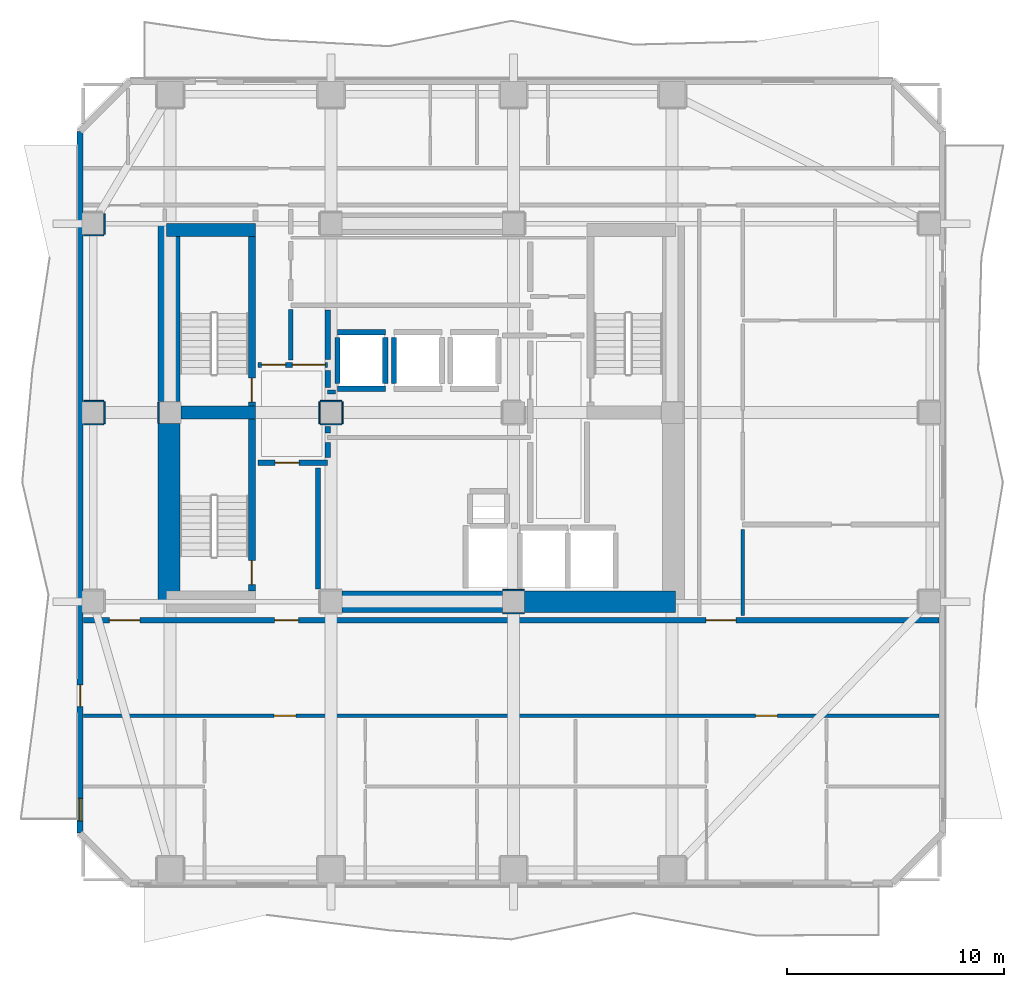
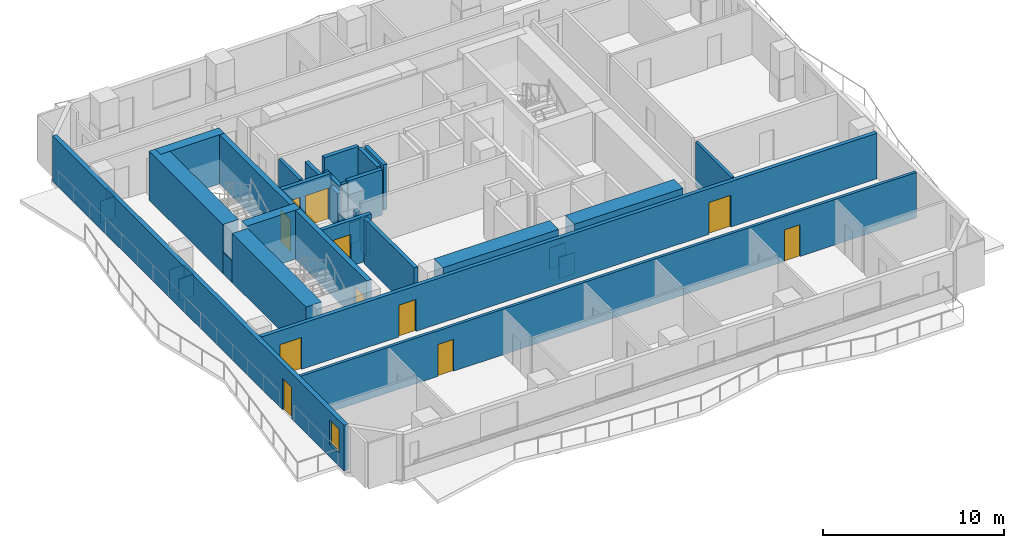
# One storey, part 3 of 9: 38 walls, 11 doors, 1 window, 12 openings.
"""IFC4 building model written with IfcOpenShell, lengths in metres."""

import ifcopenshell
import ifcopenshell.guid

model = None  # the IFC model being written
_history = None  # IfcOwnerHistory: only IFC2X3 demands one
_inside = {}  # id of a spatial element -> (the spatial element, [elements in it])
_under = {}  # id of a project, library or spatial element -> (it, [spatial elements below it])
_declared = {}  # id of a project -> (the project, [libraries it declares])
_typed = {}  # id of a type object -> (the type object, [elements of that type])
_made_of = {}  # id of a material, layer set ... -> (it, [elements and type objects made of it])


def new_model(schema):
    """Start an empty IFC model of exactly this schema.

    Asked for "IFC4X3", IfcOpenShell would pick the latest addendum, in which some entities
    have other attributes; the version numbers below select the first issue.
    IFC2X3 requires an IfcOwnerHistory on every rooted entity: one is made here for all.
    """
    global model, _history
    if schema == "IFC4X3":
        model = ifcopenshell.file(schema_version=(4, 3, 0, 0))
    else:
        model = ifcopenshell.file(schema=schema)
    _inside.clear()
    _under.clear()
    _declared.clear()
    _typed.clear()
    _made_of.clear()
    _history = None
    if model.schema == "IFC2X3":
        org = make("IfcOrganization", Name="unknown")
        user = make(
            "IfcPersonAndOrganization",
            ThePerson=make("IfcPerson", FamilyName="unknown"),
            TheOrganization=org,
        )
        app = make(
            "IfcApplication",
            ApplicationDeveloper=org,
            Version="unknown",
            ApplicationFullName="unknown",
            ApplicationIdentifier="unknown",
        )
        _history = make(
            "IfcOwnerHistory",
            OwningUser=user,
            OwningApplication=app,
            ChangeAction="ADDED",
            CreationDate=0,
        )
    return model


def make(cls, **values):
    """One entity of the class cls with the attributes given. An attribute that is None is left unset."""
    return model.create_entity(
        cls, **{name: value for name, value in values.items() if value is not None}
    )


def rooted(cls, **values):
    """An entity with a GlobalId (a new one), such as an element, a storey or a relation."""
    return make(cls, GlobalId=ifcopenshell.guid.new(), OwnerHistory=_history, **values)


def si_unit(unit_type, name, prefix=None):
    """IfcSIUnit, for example si_unit("LENGTHUNIT", "METRE", prefix="MILLI")."""
    return make("IfcSIUnit", UnitType=unit_type, Prefix=prefix, Name=name)


def assignment(units):
    """IfcUnitAssignment: the units of a project."""
    return None if units is None else make("IfcUnitAssignment", Units=units)


def point(xyz):
    """IfcCartesianPoint."""
    return None if xyz is None else make("IfcCartesianPoint", Coordinates=xyz)


def direction(xyz):
    """IfcDirection."""
    return None if xyz is None else make("IfcDirection", DirectionRatios=xyz)


def frame(location, z_axis=None, x_axis=None):
    """IfcAxis2Placement3D, a coordinate frame: its origin and axes. An axis left out is left unset."""
    return make(
        "IfcAxis2Placement3D",
        Location=point(location),
        Axis=direction(z_axis),
        RefDirection=direction(x_axis),
    )


def frame_2d(location, x_axis=None):
    """IfcAxis2Placement2D, a coordinate frame in the plane: its origin and x axis."""
    return make(
        "IfcAxis2Placement2D", Location=point(location), RefDirection=direction(x_axis)
    )


def origin():
    """The frame at (0, 0, 0) with its axes left unset."""
    return frame((0.0, 0.0, 0.0))


def place(relative_to, where):
    """IfcLocalPlacement: puts the frame where relative to a parent placement (None: the world)."""
    return make(
        "IfcLocalPlacement", PlacementRelTo=relative_to, RelativePlacement=where
    )


def context(
    kind, dimensions, precision=None, world=None, true_north=None, identifier=None
):
    """IfcGeometricRepresentationContext, for example the 3D "Model" context."""
    return make(
        "IfcGeometricRepresentationContext",
        ContextIdentifier=identifier,
        ContextType=kind,
        CoordinateSpaceDimension=dimensions,
        Precision=precision,
        WorldCoordinateSystem=world,
        TrueNorth=true_north,
    )


def subcontext(parent, identifier, kind, view, scale=None):
    """IfcGeometricRepresentationSubContext, for example "Body" below "Model"."""
    return make(
        "IfcGeometricRepresentationSubContext",
        ContextIdentifier=identifier,
        ContextType=kind,
        ParentContext=parent,
        TargetScale=scale,
        TargetView=view,
    )


def project(units=None, contexts=None):
    """IfcProject with its units and contexts."""
    return rooted(
        "IfcProject",
        Name="project",
        RepresentationContexts=contexts,
        UnitsInContext=assignment(units),
    )


def spatial(cls, under=None, at=None, **own):
    """A site, building, storey or space (cls), placed at a placement, below another one or the project."""
    s = rooted(cls, ObjectPlacement=at, **own)
    if under is not None:
        _under.setdefault(under.id(), (under, []))[1].append(s)
    return s


def profile(cls, at=None, kind="AREA", **sizes):
    """A parametric profile (cls). Its sizes go by their IFC names, for example OverallWidth=200.0."""
    return make(cls, ProfileType=kind, Position=at, **sizes)


def rectangle(**sizes):
    """IfcRectangleProfileDef."""
    return profile("IfcRectangleProfileDef", **sizes)


def extrude(swept, where, along, depth):
    """IfcExtrudedAreaSolid: the profile swept, set in the frame where, extruded along a direction by depth."""
    return make(
        "IfcExtrudedAreaSolid",
        SweptArea=swept,
        Position=where,
        ExtrudedDirection=direction(along),
        Depth=depth,
    )


def shape(context_of_items, identifier, shape_type, items):
    """IfcShapeRepresentation: the items that make up one representation, for example the "Body"."""
    return make(
        "IfcShapeRepresentation",
        ContextOfItems=context_of_items,
        RepresentationIdentifier=identifier,
        RepresentationType=shape_type,
        Items=items,
    )


def material(Name=None, Category=None):
    """IfcMaterial."""
    return make("IfcMaterial", Name=Name, Category=Category)


def layer(
    of_material, thickness, ventilated=None, Name=None, Category=None, Priority=None
):
    """IfcMaterialLayer: one layer of a wall or slab, of a material (None: an air gap)."""
    return make(
        "IfcMaterialLayer",
        Material=of_material,
        LayerThickness=thickness,
        IsVentilated=ventilated,
        Name=Name,
        Category=Category,
        Priority=Priority,
    )


def layer_set(layers, Name=None):
    """IfcMaterialLayerSet."""
    return make("IfcMaterialLayerSet", MaterialLayers=layers, LayerSetName=Name)


def made_of(thing, what):
    """Note that an element or type object is made of a material, layer set ...; save() writes the relation."""
    if what is not None:
        _made_of.setdefault(what.id(), (what, []))[1].append(thing)
    return thing


def type_object(cls, material=None, **own):
    """A type object (cls), such as IfcWallType, which elements share."""
    return made_of(rooted(cls, **own), material)


def element(
    cls,
    number,
    at=None,
    inside=None,
    cuts=None,
    type_object=None,
    material=None,
    context=None,
    identifier="Body",
    shape_type=None,
    held_by="IfcProductDefinitionShape",
    body=None,
    shapes=None,
    **own,
):
    """One element of the class cls, such as IfcWall. Its Tag is "e" and its number.

    at: its placement. inside: the storey or other place that contains it. cuts: it is an
    opening in that element (IfcRelVoidsElement). A single representation is given by context,
    identifier, shape_type and body (its items); several are given by shapes. held_by: the class
    of the entity that holds the representations. save() writes the other relations.
    """
    e = rooted(cls, Tag="e%d" % number, ObjectPlacement=at, **own)
    if body is not None:
        shapes = [shape(context, identifier, shape_type, body)]
    if shapes is not None:
        e.Representation = make(held_by, Representations=shapes)
    if inside is not None:
        _inside.setdefault(inside.id(), (inside, []))[1].append(e)
    if cuts is not None:
        rooted(
            "IfcRelVoidsElement", RelatingBuildingElement=cuts, RelatedOpeningElement=e
        )
    if type_object is not None:
        _typed.setdefault(type_object.id(), (type_object, []))[1].append(e)
    return made_of(e, material)


def fill(opening, filler):
    """IfcRelFillsElement: the door or window that sits in an opening."""
    return rooted(
        "IfcRelFillsElement",
        RelatingOpeningElement=opening,
        RelatedBuildingElement=filler,
    )


def aggregate(whole, parts):
    """IfcRelAggregates: a whole, such as a stair, and the parts it consists of."""
    return rooted("IfcRelAggregates", RelatingObject=whole, RelatedObjects=parts)


def save(model, path):
    """Write the relations noted so far, then the file.

    IfcRelAggregates (storeys below a building ...), IfcRelContainedInSpatialStructure (elements
    in a storey), IfcRelDefinesByType, IfcRelAssociatesMaterial and IfcRelDeclares: one each for
    every whole, place, type object, material and project.
    """
    for whole, parts in _under.values():
        aggregate(whole, parts)
    for where, things in _inside.values():
        rooted(
            "IfcRelContainedInSpatialStructure",
            RelatedElements=things,
            RelatingStructure=where,
        )
    for kind, things in _typed.values():
        rooted("IfcRelDefinesByType", RelatedObjects=things, RelatingType=kind)
    for what, things in _made_of.values():
        rooted("IfcRelAssociatesMaterial", RelatedObjects=things, RelatingMaterial=what)
    for by, libraries in _declared.values():
        rooted("IfcRelDeclares", RelatingContext=by, RelatedDefinitions=libraries)
    model.write(path)


model = new_model("IFC4")

# Units and contexts
model_context = context("Model", 3, precision=1e-05, world=origin(), true_north=direction((0.0, 1.0)))
body_context = subcontext(model_context, "Body", "Model", "MODEL_VIEW")
ifc_project = project(units=[si_unit("LENGTHUNIT", "METRE"), si_unit("AREAUNIT", "SQUARE_METRE"), si_unit("VOLUMEUNIT", "CUBIC_METRE"), si_unit("PLANEANGLEUNIT", "RADIAN"), si_unit("MASSUNIT", "GRAM", prefix="KILO")], contexts=[model_context])

# Site, building, storey
site_placement = place(None, origin())
site = spatial("IfcSite", under=ifc_project, at=site_placement, CompositionType="ELEMENT")
building_placement = place(site_placement, origin())
building = spatial("IfcBuilding", under=site, at=building_placement, Name="Solanera Arch Residences", CompositionType="ELEMENT")
storey_placement = place(building_placement, frame((0.0, 0.0, 135.9599609375)))
storey = spatial("IfcBuildingStorey", under=building, at=storey_placement, Name="L39", CompositionType="ELEMENT", Elevation=135.9599609375)

# Walls
ifc_material_1 = material(Name="Fire-Rated Gypsum Stud Partition", Category="gypsum")
ifc_layer_1 = layer(ifc_material_1, 0.06005859375)
ifc_layer_set_1 = layer_set([ifc_layer_1], Name="Fire-Rated Gypsum Stud Partition")
wall_type_1 = type_object("IfcWallType", Name="Column Acoustic Furring Wall 60", PredefinedType="PARTITIONING", material=ifc_layer_set_1)
for number, where, z_axis, x_axis, name in (
    (1, (28.699951171875, 21.468017578125, 0.0), (0.0, 0.0, 1.0), (1.0, 0.0, 0.0), "L39 Column Furring 2S"),
    (2, (28.699951171875, 22.531982421875, 0.0), (0.0, 0.0, 1.0), (1.0, 0.0, 0.0), "L39 Column Furring 2N"),
):
    element("IfcWall", number, at=place(storey_placement, frame(where, z_axis=z_axis, x_axis=x_axis)), inside=storey, type_object=wall_type_1, Name=name, PredefinedType="PARTITIONING", context=body_context, shape_type="SweptSolid", body=[
        extrude(rectangle(XDim=1.0, YDim=0.06005859375, at=frame_2d((0.5, 0.0))), origin(), (0.0, 0.0, 1.0), 1.449951171875),
    ])
wall_1_placement = place(storey_placement, frame((12.867919921875, 30.2099609375, 0.0), z_axis=(0.0, 0.0, 1.0), x_axis=(0.0, 1.0, 0.0)))
element("IfcWall", 3, at=wall_1_placement, inside=storey, type_object=wall_type_1, Name="L39 Column Furring 5W", PredefinedType="PARTITIONING", context=body_context, shape_type="SweptSolid", body=[
    extrude(rectangle(XDim=0.97998046875, YDim=0.06005859375, at=frame_2d((0.489990234375, 0.0))), origin(), (0.0, 0.0, 1.0), 1.449951171875),
])
for number, where, z_axis, x_axis, name in (
    (4, (20.300048828125, 30.16796875, 0.0), (0.0, 0.0, 1.0), (1.0, 0.0, 0.0), "L39 Column Furring 7S"),
    (5, (20.300048828125, 31.23193359375, 0.0), (0.0, 0.0, 1.0), (1.0, 0.0, 0.0), "L39 Column Furring 7N"),
    (6, (20.26806640625, 30.199951171875, 0.0), (0.0, 0.0, 1.0), (0.0, 1.0, 0.0), "L39 Column Furring 7W"),
    (7, (21.33203125, 30.199951171875, 0.0), (0.0, 0.0, 1.0), (0.0, 1.0, 0.0), "L39 Column Furring 7E"),
):
    element("IfcWall", number, at=place(storey_placement, frame(where, z_axis=z_axis, x_axis=x_axis)), inside=storey, type_object=wall_type_1, Name=name, PredefinedType="PARTITIONING", context=body_context, shape_type="SweptSolid", body=[
        extrude(rectangle(XDim=1.0, YDim=0.06005859375, at=frame_2d((0.5, 0.0))), origin(), (0.0, 0.0, 1.0), 1.449951171875),
    ])
for number, where, z_axis, x_axis, name in (
    (8, (9.409912109375, 30.16796875, 0.0), (0.0, 0.0, 1.0), (1.0, 0.0, 0.0), "L39 Column Furring 19S"),
    (9, (9.409912109375, 31.23193359375, 0.0), (0.0, 0.0, 1.0), (1.0, 0.0, 0.0), "L39 Column Furring 19N"),
):
    element("IfcWall", number, at=place(storey_placement, frame(where, z_axis=z_axis, x_axis=x_axis)), inside=storey, type_object=wall_type_1, Name=name, PredefinedType="PARTITIONING", context=body_context, shape_type="SweptSolid", body=[
        extrude(rectangle(XDim=0.940185546875, YDim=0.06005859375, at=frame_2d((0.47021484375, 0.0))), origin(), (0.0, 0.0, 1.0), 1.449951171875),
    ])
wall_2_placement = place(storey_placement, frame((10.382080078125, 30.199951171875, 0.0), z_axis=(0.0, 0.0, 1.0), x_axis=(0.0, 1.0, 0.0)))
element("IfcWall", 10, at=wall_2_placement, inside=storey, type_object=wall_type_1, Name="L39 Column Furring 19E", PredefinedType="PARTITIONING", context=body_context, shape_type="SweptSolid", body=[
    extrude(rectangle(XDim=1.0, YDim=0.06005859375, at=frame_2d((0.5, 0.0))), origin(), (0.0, 0.0, 1.0), 1.449951171875),
])
wall_3_placement = place(storey_placement, frame((9.409912109375, 38.867919921875, 0.0), z_axis=(0.0, 0.0, 1.0), x_axis=(1.0, 0.0, 0.0)))
element("IfcWall", 11, at=wall_3_placement, inside=storey, type_object=wall_type_1, Name="L39 Column Furring 21S", PredefinedType="PARTITIONING", context=body_context, shape_type="SweptSolid", body=[
    extrude(rectangle(XDim=0.940185546875, YDim=0.06005859375, at=frame_2d((0.47021484375, 0.0))), origin(), (0.0, 0.0, 1.0), 1.449951171875),
])
wall_4_placement = place(storey_placement, frame((10.382080078125, 38.89990234375, 0.0), z_axis=(0.0, 0.0, 1.0), x_axis=(0.0, 1.0, 0.0)))
element("IfcWall", 12, at=wall_4_placement, inside=storey, type_object=wall_type_1, Name="L39 Column Furring 21E", PredefinedType="PARTITIONING", context=body_context, shape_type="SweptSolid", body=[
    extrude(rectangle(XDim=0.9560546875, YDim=0.06005859375, at=frame_2d((0.47802734375, 0.0))), origin(), (0.0, 0.0, 1.0), 1.449951171875),
])
ifc_material_2 = material(Name="Concrete C55/67 (f'c = 60 MPa)", Category="concrete")
ifc_layer_2 = layer(ifc_material_2, 1.0)
ifc_layer_set_2 = layer_set([ifc_layer_2], Name="Concrete C55/67 (f'c = 60 MPa)")
wall_type_2 = type_object("IfcWallType", Name="Core Shear Wall CW-1000", PredefinedType="SHEAR", material=ifc_layer_set_2)
wall_5_placement = place(storey_placement, frame((13.340087890625, 22.0, 0.0), z_axis=(0.0, 0.0, 1.0), x_axis=(0.0, 1.0, 0.0)))
element("IfcWall", 13, at=wall_5_placement, inside=storey, type_object=wall_type_2, Name="L39 West Core South Shear Wall", PredefinedType="SHEAR", context=body_context, shape_type="SweptSolid", body=[
    extrude(rectangle(XDim=8.195068359375, YDim=1.0, at=frame_2d((4.09765625, 0.0))), origin(), (0.0, 0.0, 1.0), 3.320068359375),
])
wall_6_placement = place(storey_placement, frame((13.340087890625, 31.205078125, 0.0), z_axis=(0.0, 0.0, 1.0), x_axis=(0.0, 1.0, 0.0)))
element("IfcWall", 14, at=wall_6_placement, inside=storey, type_object=wall_type_2, Name="L39 West Core North Shear Wall", PredefinedType="SHEAR", context=body_context, shape_type="SweptSolid", body=[
    extrude(rectangle(XDim=8.19482421875, YDim=1.0, at=frame_2d((4.097412109375, 0.0))), origin(), (0.0, 0.0, 1.0), 3.320068359375),
])
wall_7_placement = place(storey_placement, frame((29.705078125, 22.0, 0.0), z_axis=(0.0, 0.0, 1.0), x_axis=(1.0, 0.0, 0.0)))
element("IfcWall", 15, at=wall_7_placement, inside=storey, type_object=wall_type_2, Name="L39 South-East Core Shear Wall", PredefinedType="SHEAR", context=body_context, shape_type="SweptSolid", body=[
    extrude(rectangle(XDim=6.954833984375, YDim=1.0, at=frame_2d((3.4775390625, 0.0))), origin(), (0.0, 0.0, 1.0), 3.320068359375),
])
wall_8_placement = place(storey_placement, frame((21.304931640625, 22.0, 0.0), z_axis=(0.0, 0.0, 1.0), x_axis=(1.0, 0.0, 0.0)))
element("IfcWall", 16, at=wall_8_placement, inside=storey, type_object=wall_type_2, Name="L39 Central South Core Shear Wall", PredefinedType="SHEAR", context=body_context, shape_type="SweptSolid", body=[
    extrude(rectangle(XDim=7.39013671875, YDim=1.0, at=frame_2d((3.695068359375, 0.0))), origin(), (0.0, 0.0, 1.0), 3.320068359375),
])

# Wall, opening, door
ifc_material_3 = material(Name="Concrete C40/50 (f'c = 45 MPa)", Category="concrete")
ifc_layer_3 = layer(ifc_material_3, 0.320068359375)
ifc_layer_set_3 = layer_set([ifc_layer_3], Name="Concrete C40/50 (f'c = 45 MPa)")
wall_type_3 = type_object("IfcWallType", Name="Core Shear Wall CW-320", PredefinedType="SHEAR", material=ifc_layer_set_3)
wall_9_placement = place(storey_placement, frame((17.159912109375, 31.0, 0.0), z_axis=(0.0, 0.0, 1.0), x_axis=(0.0, 1.0, 0.0)))
wall_9 = element("IfcWall", 17, at=wall_9_placement, inside=storey, type_object=wall_type_3, Name="L39 Stair ST-T1 East Shear Wall", PredefinedType="SHEAR", context=body_context, shape_type="SweptSolid", body=[
    extrude(rectangle(XDim=7.800048828125, YDim=0.320068359375, at=frame_2d((3.89990234375, 0.0))), origin(), (0.0, 0.0, 1.0), 3.320068359375),
])
opening_1_placement = place(wall_9_placement, frame((0.18994140625, 0.0, 0.0)))
opening_1 = element("IfcOpeningElement", 18, at=opening_1_placement, cuts=wall_9, Name="Opening DF-01", PredefinedType="OPENING", context=body_context, shape_type="SweptSolid", body=[
    extrude(rectangle(XDim=1.10009765625, YDim=2.14990234375, at=frame_2d((0.550048828125, 1.074951171875))), frame((0.0, 0.169921875, 0.0), z_axis=(0.0, -1.0, 0.0), x_axis=(1.0, 0.0, 0.0)), (0.0, 0.0, 1.0), 0.3401),
])
ifc_material_4 = material(Name="Fire-Rated Architectural Hardwood", Category="wood")
door_type_1 = type_object("IfcDoorType", Name="Stair Exit Fire Door DF-01", OperationType="NOTDEFINED", PredefinedType="DOOR", material=ifc_material_4)
door_1_placement = place(opening_1_placement, origin())
door_1 = element("IfcDoor", 19, at=door_1_placement, inside=storey, type_object=door_type_1, Name="DR-L39-STAIR-ST-T1", OperationType="SINGLE_SWING_RIGHT", OverallHeight=2.14990234375, OverallWidth=1.10009765625, PredefinedType="DOOR", context=body_context, shape_type="SweptSolid", body=[
    extrude(rectangle(XDim=1.10009765625, YDim=2.14990234375, at=frame_2d((0.550048828125, 1.074951171875))), frame((0.0, 0.02490234375, 0.0), z_axis=(0.0, -1.0, 0.0), x_axis=(1.0, 0.0, 0.0)), (0.0, 0.0, 1.0), 0.050048828125),
])
fill(opening_1, door_1)

wall_10_placement = place(storey_placement, frame((17.159912109375, 22.5, 0.0), z_axis=(0.0, 0.0, 1.0), x_axis=(0.0, 1.0, 0.0)))
wall_10 = element("IfcWall", 20, at=wall_10_placement, inside=storey, type_object=wall_type_3, Name="L39 Stair ST-T3 East Shear Wall", PredefinedType="SHEAR", context=body_context, shape_type="SweptSolid", body=[
    extrude(rectangle(XDim=7.89990234375, YDim=0.320068359375, at=frame_2d((3.949951171875, 0.0))), origin(), (0.0, 0.0, 1.0), 3.320068359375),
])
opening_2_placement = place(wall_10_placement, frame((0.2900390625, 0.0, 0.0)))
opening_2 = element("IfcOpeningElement", 21, at=opening_2_placement, cuts=wall_10, Name="Opening DF-01", PredefinedType="OPENING", context=body_context, shape_type="SweptSolid", body=[
    extrude(rectangle(XDim=1.10009765625, YDim=2.14990234375, at=frame_2d((0.550048828125, 1.074951171875))), frame((0.0, 0.169921875, 0.0), z_axis=(0.0, -1.0, 0.0), x_axis=(1.0, 0.0, 0.0)), (0.0, 0.0, 1.0), 0.3401),
])
door_2_placement = place(opening_2_placement, origin())
door_2 = element("IfcDoor", 22, at=door_2_placement, inside=storey, type_object=door_type_1, Name="DR-L39-STAIR-ST-T3", OperationType="SINGLE_SWING_RIGHT", OverallHeight=2.14990234375, OverallWidth=1.10009765625, PredefinedType="DOOR", context=body_context, shape_type="SweptSolid", body=[
    extrude(rectangle(XDim=1.10009765625, YDim=2.14990234375, at=frame_2d((0.550048828125, 1.074951171875))), frame((0.0, 0.02490234375, 0.0), z_axis=(0.0, -1.0, 0.0), x_axis=(1.0, 0.0, 0.0)), (0.0, 0.0, 1.0), 0.050048828125),
])
fill(opening_2, door_2)

# Walls
ifc_material_5 = material(Name="Concrete C40/50 (f'c = 45 MPa)", Category="concrete")
ifc_layer_4 = layer(ifc_material_5, 0.60009765625)
ifc_layer_set_4 = layer_set([ifc_layer_4], Name="Concrete C40/50 (f'c = 45 MPa)")
wall_type_4 = type_object("IfcWallType", Name="Core Shear Wall CW-600", PredefinedType="SHEAR", material=ifc_layer_set_4)
wall_11_placement = place(storey_placement, frame((13.239990234375, 39.10009765625, 0.0), z_axis=(0.0, 0.0, 1.0), x_axis=(1.0, 0.0, 0.0)))
element("IfcWall", 23, at=wall_11_placement, inside=storey, type_object=wall_type_4, Name="L39 North-West Core Shear Wall", PredefinedType="SHEAR", context=body_context, shape_type="SweptSolid", body=[
    extrude(rectangle(XDim=4.080078125, YDim=0.60009765625, at=frame_2d((2.0400390625, 0.0))), origin(), (0.0, 0.0, 1.0), 3.320068359375),
])
wall_12_placement = place(storey_placement, frame((13.905029296875, 30.699951171875, 0.0), z_axis=(0.0, 0.0, 1.0), x_axis=(1.0, 0.0, 0.0)))
element("IfcWall", 24, at=wall_12_placement, inside=storey, type_object=wall_type_4, Name="L39 West Stair Divider Shear Wall", PredefinedType="SHEAR", context=body_context, shape_type="SweptSolid", body=[
    extrude(rectangle(XDim=3.4150390625, YDim=0.60009765625, at=frame_2d((1.70751953125, 0.0))), origin(), (0.0, 0.0, 1.0), 3.320068359375),
])

# Wall, openings, doors
ifc_material_6 = material(Name="Autoclaved Aerated Concrete Blockwork", Category="masonry")
ifc_layer_5 = layer(ifc_material_6, 0.179931640625)
ifc_layer_set_5 = layer_set([ifc_layer_5], Name="Autoclaved Aerated Concrete Blockwork")
wall_type_5 = type_object("IfcWallType", Name="Corridor Fire Partition 180", PredefinedType="PARTITIONING", material=ifc_layer_set_5)
wall_13_placement = place(storey_placement, frame((9.406982421875, 16.75, 0.0), z_axis=(0.0, 0.0, 1.0), x_axis=(1.0, 0.0, 0.0)))
wall_13 = element("IfcWall", 25, at=wall_13_placement, inside=storey, type_object=wall_type_5, Name="L39 Interior Partition H8", PredefinedType="PARTITIONING", context=body_context, shape_type="SweptSolid", body=[
    extrude(rectangle(XDim=39.385986328125, YDim=0.179931640625, at=frame_2d((19.69287109375, 0.0))), origin(), (0.0, 0.0, 1.0), 3.080078125),
])
opening_3_placement = place(wall_13_placement, frame((8.77294921875, 0.0, 0.0)))
opening_3 = element("IfcOpeningElement", 26, at=opening_3_placement, cuts=wall_13, Name="Opening DI-01", PredefinedType="OPENING", context=body_context, shape_type="SweptSolid", body=[
    extrude(rectangle(XDim=1.0, YDim=2.14990234375, at=frame_2d((0.5, 1.074951171875))), frame((0.0, 0.10009765625, 0.0), z_axis=(0.0, -1.0, 0.0), x_axis=(1.0, 0.0, 0.0)), (0.0, 0.0, 1.0), 0.1999),
])
opening_4_placement = place(wall_13_placement, frame((30.93603515625, 0.0, 0.0)))
opening_4 = element("IfcOpeningElement", 27, at=opening_4_placement, cuts=wall_13, Name="Opening DI-01", PredefinedType="OPENING", context=body_context, shape_type="SweptSolid", body=[
    extrude(rectangle(XDim=1.0, YDim=2.14990234375, at=frame_2d((0.5, 1.074951171875))), frame((0.0, 0.10009765625, 0.0), z_axis=(0.0, -1.0, 0.0), x_axis=(1.0, 0.0, 0.0)), (0.0, 0.0, 1.0), 0.1999),
])
ifc_material_7 = material(Name="Fire-Rated Architectural Hardwood", Category="wood")
door_type_2 = type_object("IfcDoorType", Name="Unit Entrance Fire Door DI-01", OperationType="NOTDEFINED", PredefinedType="DOOR", material=ifc_material_7)
door_3_placement = place(opening_3_placement, origin())
door_3 = element("IfcDoor", 28, at=door_3_placement, inside=storey, type_object=door_type_2, Name="DR-L39-IN-017", OperationType="SINGLE_SWING_RIGHT", OverallHeight=2.14990234375, OverallWidth=1.0, PredefinedType="DOOR", context=body_context, shape_type="SweptSolid", body=[
    extrude(rectangle(XDim=1.0, YDim=2.14990234375, at=frame_2d((0.5, 1.074951171875))), frame((0.0, 0.02490234375, 0.0), z_axis=(0.0, -1.0, 0.0), x_axis=(1.0, 0.0, 0.0)), (0.0, 0.0, 1.0), 0.050048828125),
])
fill(opening_3, door_3)
door_4_placement = place(opening_4_placement, origin())
door_4 = element("IfcDoor", 29, at=door_4_placement, inside=storey, type_object=door_type_2, Name="DR-L39-IN-024", OperationType="SINGLE_SWING_LEFT", OverallHeight=2.14990234375, OverallWidth=1.0, PredefinedType="DOOR", context=body_context, shape_type="SweptSolid", body=[
    extrude(rectangle(XDim=1.0, YDim=2.14990234375, at=frame_2d((0.5, 1.074951171875))), frame((0.0, 0.02490234375, 0.0), z_axis=(0.0, -1.0, 0.0), x_axis=(1.0, 0.0, 0.0)), (0.0, 0.0, 1.0), 0.050048828125),
])
fill(opening_4, door_4)

# Walls
wall_14_placement = place(storey_placement, frame((20.64990234375, 31.64990234375, 0.0), z_axis=(0.0, 0.0, 1.0), x_axis=(1.0, 0.0, 0.0)))
element("IfcWall", 30, at=wall_14_placement, inside=storey, type_object=wall_type_5, Name="L39 Interior Partition H10", PredefinedType="PARTITIONING", context=body_context, shape_type="SweptSolid", body=[
    extrude(rectangle(XDim=0.357177734375, YDim=0.179931640625, at=frame_2d((0.1787109375, 0.0))), origin(), (0.0, 0.0, 1.0), 3.080078125),
])
wall_15_placement = place(storey_placement, frame((39.75, 21.367919921875, 0.0), z_axis=(0.0, 0.0, 1.0), x_axis=(0.0, 1.0, 0.0)))
element("IfcWall", 31, at=wall_15_placement, inside=storey, type_object=wall_type_5, Name="L39 Interior Partition V11 1", PredefinedType="PARTITIONING", context=body_context, shape_type="SweptSolid", body=[
    extrude(rectangle(XDim=3.964111328125, YDim=0.179931640625, at=frame_2d((1.98193359375, 0.0))), origin(), (0.0, 0.0, 1.0), 3.080078125),
])

# Wall, openings, door, window
ifc_material_8 = material(Name="Precast Concrete C35/45", Category="concrete")
ifc_layer_6 = layer(ifc_material_8, 0.280029296875)
ifc_layer_set_6 = layer_set([ifc_layer_6], Name="Precast Concrete C35/45")
wall_type_6 = type_object("IfcWallType", Name="Exterior Wall Precast Masonry-Frame 280", PredefinedType="STANDARD", material=ifc_layer_set_6)
wall_16_placement = place(storey_placement, frame((9.2548828125, 11.35498046875, 0.0), z_axis=(0.0, 0.0, 1.0), x_axis=(0.0, 1.0, 0.0)))
wall_16 = element("IfcWall", 32, at=wall_16_placement, inside=storey, type_object=wall_type_6, Name="L39 Tower Exterior Precast Masonry-Frame Wall W", PredefinedType="STANDARD", context=body_context, shape_type="SweptSolid", body=[
    extrude(rectangle(XDim=32.2900390625, YDim=0.280029296875, at=frame_2d((16.14501953125, 0.0))), origin(), (0.0, 0.0, 1.0), 3.080078125),
])
opening_5_placement = place(wall_16_placement, frame((5.818115234375, 0.0, 0.0)))
opening_5 = element("IfcOpeningElement", 33, at=opening_5_placement, cuts=wall_16, Name="Opening DB-01", PredefinedType="OPENING", context=body_context, shape_type="SweptSolid", body=[
    extrude(rectangle(XDim=1.0, YDim=2.14990234375, at=frame_2d((0.5, 1.074951171875))), frame((0.0, 0.14990234375, 0.0), z_axis=(0.0, -1.0, 0.0), x_axis=(1.0, 0.0, 0.0)), (0.0, 0.0, 1.0), 0.3),
])
opening_6_placement = place(wall_16_placement, frame((0.5439453125, 0.0, 0.85009765625)))
opening_6 = element("IfcOpeningElement", 34, at=opening_6_placement, cuts=wall_16, Name="Opening W-07", PredefinedType="OPENING", context=body_context, shape_type="SweptSolid", body=[
    extrude(rectangle(XDim=1.050048828125, YDim=1.64990234375, at=frame_2d((0.52490234375, 0.824951171875))), frame((0.0, 0.14990234375, 0.0), z_axis=(0.0, -1.0, 0.0), x_axis=(1.0, 0.0, 0.0)), (0.0, 0.0, 1.0), 0.3),
])
ifc_material_9 = material(Name="Anodised Aluminium Alloy 6063-T6", Category="aluminium")
door_type_3 = type_object("IfcDoorType", Name="Glazed Balcony Swing Door DB-01", OperationType="NOTDEFINED", PredefinedType="DOOR", material=ifc_material_9)
door_5_placement = place(opening_5_placement, origin())
door_5 = element("IfcDoor", 35, at=door_5_placement, inside=storey, type_object=door_type_3, Name="DR-L39-OUT-04", OperationType="SINGLE_SWING_RIGHT", OverallHeight=2.14990234375, OverallWidth=1.0, PredefinedType="DOOR", context=body_context, shape_type="SweptSolid", body=[
    extrude(rectangle(XDim=1.0, YDim=2.14990234375, at=frame_2d((0.5, 1.074951171875))), frame((0.0, 0.02490234375, 0.0), z_axis=(0.0, -1.0, 0.0), x_axis=(1.0, 0.0, 0.0)), (0.0, 0.0, 1.0), 0.050048828125),
])
fill(opening_5, door_5)
ifc_material_10 = material(Name="Double Glazed Low-E Laminated Glass", Category="glass")
window_type = type_object("IfcWindowType", Name="Punched Window W-07", PartitioningType="SINGLE_PANEL", PredefinedType="WINDOW", material=ifc_material_10)
window_placement = place(opening_6_placement, origin())
window = element("IfcWindow", 36, at=window_placement, inside=storey, type_object=window_type, Name="L39 3901-BR1 Punched Window", OverallHeight=1.64990234375, OverallWidth=1.050048828125, PartitioningType="SINGLE_PANEL", PredefinedType="WINDOW", context=body_context, shape_type="SweptSolid", body=[
    extrude(rectangle(XDim=1.050048828125, YDim=1.64990234375, at=frame_2d((0.52490234375, 0.824951171875))), frame((0.0, 0.030029296875, 0.0), z_axis=(0.0, -1.0, 0.0), x_axis=(1.0, 0.0, 0.0)), (0.0, 0.0, 1.0), 0.06005859375),
])
fill(opening_6, window)

# Walls
ifc_material_11 = material(Name="Autoclaved Aerated Concrete Blockwork", Category="masonry")
ifc_layer_7 = layer(ifc_material_11, 0.199951171875)
ifc_layer_set_7 = layer_set([ifc_layer_7], Name="Autoclaved Aerated Concrete Blockwork")
wall_type_7 = type_object("IfcWallType", Name="Party Wall Acoustic 200", PredefinedType="PARTITIONING", material=ifc_layer_set_7)
wall_17_placement = place(storey_placement, frame((18.949951171875, 33.1279296875, 0.0), z_axis=(0.0, 0.0, 1.0), x_axis=(0.0, 1.0, 0.0)))
element("IfcWall", 37, at=wall_17_placement, inside=storey, type_object=wall_type_7, Name="L39 Interior Partition V6 1", PredefinedType="PARTITIONING", context=body_context, shape_type="SweptSolid", body=[
    extrude(rectangle(XDim=2.31396484375, YDim=0.199951171875, at=frame_2d((1.156982421875, 0.0))), origin(), (0.0, 0.0, 1.0), 3.080078125),
])
ifc_material_12 = material(Name="Autoclaved Aerated Concrete Blockwork", Category="masonry")
ifc_layer_8 = layer(ifc_material_12, 0.239990234375)
ifc_layer_set_8 = layer_set([ifc_layer_8], Name="Autoclaved Aerated Concrete Blockwork")
wall_type_8 = type_object("IfcWallType", Name="Shaft Wall Fire-Rated 240", PredefinedType="PARTITIONING", material=ifc_layer_set_8)
for number, where, z_axis, x_axis, name in (
    (38, (21.10009765625, 31.800048828125, 0.0), (0.0, 0.0, 1.0), (1.0, 0.0, 0.0), "L39 Lift PL-M1 Hoistway Wall S"),
    (39, (21.10009765625, 34.39990234375, 0.0), (0.0, 0.0, 1.0), (1.0, 0.0, 0.0), "L39 Lift PL-M1 Hoistway Wall N"),
):
    element("IfcWall", number, at=place(storey_placement, frame(where, z_axis=z_axis, x_axis=x_axis)), inside=storey, type_object=wall_type_8, Name=name, PredefinedType="PARTITIONING", context=body_context, shape_type="SweptSolid", body=[
        extrude(rectangle(XDim=2.199951171875, YDim=0.239990234375, at=frame_2d((1.10009765625, 0.0))), origin(), (0.0, 0.0, 1.0), 3.080078125),
    ])
wall_18_placement = place(storey_placement, frame((21.10009765625, 32.048095703125, 0.0), z_axis=(0.0, 0.0, 1.0), x_axis=(0.0, 1.0, 0.0)))
element("IfcWall", 40, at=wall_18_placement, inside=storey, type_object=wall_type_8, Name="L39 Lift PL-M1 Hoistway Wall W", PredefinedType="PARTITIONING", context=body_context, shape_type="SweptSolid", body=[
    extrude(rectangle(XDim=2.10400390625, YDim=0.239990234375, at=frame_2d((1.052001953125, 0.0))), origin(), (0.0, 0.0, 1.0), 2.31494140625),
])
for number, where, z_axis, x_axis, name in (
    (41, (23.300048828125, 32.048095703125, 0.0), (0.0, 0.0, 1.0), (0.0, 1.0, 0.0), "L39 Lift PL-M1 Hoistway Wall E"),
    (42, (23.699951171875, 32.048095703125, 0.0), (0.0, 0.0, 1.0), (0.0, 1.0, 0.0), "L39 Lift PL-M2 Hoistway Wall W"),
):
    element("IfcWall", number, at=place(storey_placement, frame(where, z_axis=z_axis, x_axis=x_axis)), inside=storey, type_object=wall_type_8, Name=name, PredefinedType="PARTITIONING", context=body_context, shape_type="SweptSolid", body=[
        extrude(rectangle(XDim=2.10400390625, YDim=0.239990234375, at=frame_2d((1.052001953125, 0.0))), origin(), (0.0, 0.0, 1.0), 3.080078125),
    ])

# Wall, openings, doors
wall_19_placement = place(storey_placement, frame((9.406982421875, 21.14990234375, 0.0), z_axis=(0.0, 0.0, 1.0), x_axis=(1.0, 0.0, 0.0)))
wall_19 = element("IfcWall", 43, at=wall_19_placement, inside=storey, type_object=wall_type_8, Name="L39 Interior Partition H1", PredefinedType="PARTITIONING", context=body_context, shape_type="SweptSolid", body=[
    extrude(rectangle(XDim=39.385986328125, YDim=0.239990234375, at=frame_2d((19.69287109375, 0.0))), origin(), (0.0, 0.0, 1.0), 3.080078125),
])
opening_7_placement = place(wall_19_placement, frame((8.802978515625, 0.0, 0.0)))
opening_7 = element("IfcOpeningElement", 44, at=opening_7_placement, cuts=wall_19, Name="Opening DF-02", PredefinedType="OPENING", context=body_context, shape_type="SweptSolid", body=[
    extrude(rectangle(XDim=1.10009765625, YDim=2.14990234375, at=frame_2d((0.550048828125, 1.074951171875))), frame((0.0, 0.1298828125, 0.0), z_axis=(0.0, -1.0, 0.0), x_axis=(1.0, 0.0, 0.0)), (0.0, 0.0, 1.0), 0.26),
])
opening_8_placement = place(wall_19_placement, frame((1.19189453125, 0.0, 0.0)))
opening_8 = element("IfcOpeningElement", 45, at=opening_8_placement, cuts=wall_19, Name="Opening DF-03", PredefinedType="OPENING", context=body_context, shape_type="SweptSolid", body=[
    extrude(rectangle(XDim=1.39990234375, YDim=2.14990234375, at=frame_2d((0.699951171875, 1.074951171875))), frame((0.0, 0.1298828125, 0.0), z_axis=(0.0, -1.0, 0.0), x_axis=(1.0, 0.0, 0.0)), (0.0, 0.0, 1.0), 0.26),
])
opening_9_placement = place(wall_19_placement, frame((28.64306640625, 0.0, 0.0)))
opening_9 = element("IfcOpeningElement", 46, at=opening_9_placement, cuts=wall_19, Name="Opening DF-03", PredefinedType="OPENING", context=body_context, shape_type="SweptSolid", body=[
    extrude(rectangle(XDim=1.39990234375, YDim=2.14990234375, at=frame_2d((0.699951171875, 1.074951171875))), frame((0.0, 0.1298828125, 0.0), z_axis=(0.0, -1.0, 0.0), x_axis=(1.0, 0.0, 0.0)), (0.0, 0.0, 1.0), 0.26),
])
ifc_material_13 = material(Name="Fire-Rated Architectural Hardwood", Category="wood")
door_type_4 = type_object("IfcDoorType", Name="Corridor Smoke Door DF-03", OperationType="NOTDEFINED", PredefinedType="DOOR", material=ifc_material_13)
door_6_placement = place(opening_8_placement, origin())
door_6 = element("IfcDoor", 47, at=door_6_placement, inside=storey, type_object=door_type_4, Name="DR-L39-IN-010", OperationType="SINGLE_SWING_LEFT", OverallHeight=2.14990234375, OverallWidth=1.39990234375, PredefinedType="DOOR", context=body_context, shape_type="SweptSolid", body=[
    extrude(rectangle(XDim=1.39990234375, YDim=2.14990234375, at=frame_2d((0.699951171875, 1.074951171875))), frame((0.0, 0.02490234375, 0.0), z_axis=(0.0, -1.0, 0.0), x_axis=(1.0, 0.0, 0.0)), (0.0, 0.0, 1.0), 0.050048828125),
])
fill(opening_8, door_6)
door_7_placement = place(opening_9_placement, origin())
door_7 = element("IfcDoor", 48, at=door_7_placement, inside=storey, type_object=door_type_4, Name="DR-L39-IN-011", OperationType="SINGLE_SWING_RIGHT", OverallHeight=2.14990234375, OverallWidth=1.39990234375, PredefinedType="DOOR", context=body_context, shape_type="SweptSolid", body=[
    extrude(rectangle(XDim=1.39990234375, YDim=2.14990234375, at=frame_2d((0.699951171875, 1.074951171875))), frame((0.0, 0.02490234375, 0.0), z_axis=(0.0, -1.0, 0.0), x_axis=(1.0, 0.0, 0.0)), (0.0, 0.0, 1.0), 0.050048828125),
])
fill(opening_9, door_7)
ifc_material_14 = material(Name="Fire-Rated Architectural Hardwood", Category="wood")
door_type_5 = type_object("IfcDoorType", Name="Firefighting Lobby Fire Door DF-02", OperationType="NOTDEFINED", PredefinedType="DOOR", material=ifc_material_14)
door_8_placement = place(opening_7_placement, origin())
door_8 = element("IfcDoor", 49, at=door_8_placement, inside=storey, type_object=door_type_5, Name="DR-L39-IN-008", OperationType="SINGLE_SWING_LEFT", OverallHeight=2.14990234375, OverallWidth=1.10009765625, PredefinedType="DOOR", context=body_context, shape_type="SweptSolid", body=[
    extrude(rectangle(XDim=1.10009765625, YDim=2.14990234375, at=frame_2d((0.550048828125, 1.074951171875))), frame((0.0, 0.02490234375, 0.0), z_axis=(0.0, -1.0, 0.0), x_axis=(1.0, 0.0, 0.0)), (0.0, 0.0, 1.0), 0.050048828125),
])
fill(opening_7, door_8)

# Wall, opening, door
wall_20_placement = place(storey_placement, frame((17.449951171875, 28.39990234375, 0.0), z_axis=(0.0, 0.0, 1.0), x_axis=(1.0, 0.0, 0.0)))
wall_20 = element("IfcWall", 50, at=wall_20_placement, inside=storey, type_object=wall_type_8, Name="L39 Interior Partition H4", PredefinedType="PARTITIONING", context=body_context, shape_type="SweptSolid", body=[
    extrude(rectangle(XDim=3.199951171875, YDim=0.239990234375, at=frame_2d((1.60009765625, 0.0))), origin(), (0.0, 0.0, 1.0), 3.080078125),
])
opening_10_placement = place(wall_20_placement, frame((0.783935546875, 0.0, 0.0)))
opening_10 = element("IfcOpeningElement", 51, at=opening_10_placement, cuts=wall_20, Name="Opening DF-02", PredefinedType="OPENING", context=body_context, shape_type="SweptSolid", body=[
    extrude(rectangle(XDim=1.10009765625, YDim=2.14990234375, at=frame_2d((0.550048828125, 1.074951171875))), frame((0.0, 0.1298828125, 0.0), z_axis=(0.0, -1.0, 0.0), x_axis=(1.0, 0.0, 0.0)), (0.0, 0.0, 1.0), 0.26),
])
door_9_placement = place(opening_10_placement, origin())
door_9 = element("IfcDoor", 52, at=door_9_placement, inside=storey, type_object=door_type_5, Name="DR-L39-IN-004", OperationType="SINGLE_SWING_LEFT", OverallHeight=2.14990234375, OverallWidth=1.10009765625, PredefinedType="DOOR", context=body_context, shape_type="SweptSolid", body=[
    extrude(rectangle(XDim=1.10009765625, YDim=2.14990234375, at=frame_2d((0.550048828125, 1.074951171875))), frame((0.0, 0.02490234375, 0.0), z_axis=(0.0, -1.0, 0.0), x_axis=(1.0, 0.0, 0.0)), (0.0, 0.0, 1.0), 0.050048828125),
])
fill(opening_10, door_9)

# Wall, openings, doors
wall_21_placement = place(storey_placement, frame((17.449951171875, 32.89990234375, 0.0), z_axis=(0.0, 0.0, 1.0), x_axis=(1.0, 0.0, 0.0)))
wall_21 = element("IfcWall", 53, at=wall_21_placement, inside=storey, type_object=wall_type_8, Name="L39 Interior Partition H5", PredefinedType="PARTITIONING", context=body_context, shape_type="SweptSolid", body=[
    extrude(rectangle(XDim=3.199951171875, YDim=0.239990234375, at=frame_2d((1.60009765625, 0.0))), origin(), (0.0, 0.0, 1.0), 3.080078125),
])
opening_11_placement = place(wall_21_placement, frame((0.158935546875, 0.0, 0.0)))
opening_11 = element("IfcOpeningElement", 54, at=opening_11_placement, cuts=wall_21, Name="Opening DF-02", PredefinedType="OPENING", context=body_context, shape_type="SweptSolid", body=[
    extrude(rectangle(XDim=1.10009765625, YDim=2.14990234375, at=frame_2d((0.550048828125, 1.074951171875))), frame((0.0, 0.1298828125, 0.0), z_axis=(0.0, -1.0, 0.0), x_axis=(1.0, 0.0, 0.0)), (0.0, 0.0, 1.0), 0.26),
])
opening_12_placement = place(wall_21_placement, frame((1.575927734375, 0.0, 0.0)))
opening_12 = element("IfcOpeningElement", 55, at=opening_12_placement, cuts=wall_21, Name="Opening DP-01", PredefinedType="OPENING", context=body_context, shape_type="SweptSolid", body=[
    extrude(rectangle(XDim=1.5, YDim=2.14990234375, at=frame_2d((0.75, 1.074951171875))), frame((0.0, 0.1298828125, 0.0), z_axis=(0.0, -1.0, 0.0), x_axis=(1.0, 0.0, 0.0)), (0.0, 0.0, 1.0), 0.26),
])
door_10_placement = place(opening_11_placement, origin())
door_10 = element("IfcDoor", 56, at=door_10_placement, inside=storey, type_object=door_type_5, Name="DR-L39-IN-005", OperationType="SINGLE_SWING_RIGHT", OverallHeight=2.14990234375, OverallWidth=1.10009765625, PredefinedType="DOOR", context=body_context, shape_type="SweptSolid", body=[
    extrude(rectangle(XDim=1.10009765625, YDim=2.14990234375, at=frame_2d((0.550048828125, 1.074951171875))), frame((0.0, 0.02490234375, 0.0), z_axis=(0.0, -1.0, 0.0), x_axis=(1.0, 0.0, 0.0)), (0.0, 0.0, 1.0), 0.050048828125),
])
fill(opening_11, door_10)
ifc_material_15 = material(Name="Fire-Rated Architectural Hardwood", Category="wood")
door_type_6 = type_object("IfcDoorType", Name="Plant Double Fire Door DP-01", OperationType="NOTDEFINED", PredefinedType="DOOR", material=ifc_material_15)
door_11_placement = place(opening_12_placement, origin())
door_11 = element("IfcDoor", 57, at=door_11_placement, inside=storey, type_object=door_type_6, Name="DR-L39-IN-014", OperationType="SINGLE_SWING_LEFT", OverallHeight=2.14990234375, OverallWidth=1.5, PredefinedType="DOOR", context=body_context, shape_type="SweptSolid", body=[
    extrude(rectangle(XDim=1.5, YDim=2.14990234375, at=frame_2d((0.75, 1.074951171875))), frame((0.0, 0.02490234375, 0.0), z_axis=(0.0, -1.0, 0.0), x_axis=(1.0, 0.0, 0.0)), (0.0, 0.0, 1.0), 0.050048828125),
])
fill(opening_12, door_11)

# Walls
wall_22_placement = place(storey_placement, frame((20.199951171875, 22.5859375, 0.0), z_axis=(0.0, 0.0, 1.0), x_axis=(0.0, 1.0, 0.0)))
element("IfcWall", 58, at=wall_22_placement, inside=storey, type_object=wall_type_8, Name="L39 Interior Partition V2", PredefinedType="PARTITIONING", context=body_context, shape_type="SweptSolid", body=[
    extrude(rectangle(XDim=5.566162109375, YDim=0.239990234375, at=frame_2d((2.783203125, 0.0))), origin(), (0.0, 0.0, 1.0), 3.080078125),
])
wall_23_placement = place(storey_placement, frame((20.64990234375, 28.64794921875, 0.0), z_axis=(0.0, 0.0, 1.0), x_axis=(0.0, 1.0, 0.0)))
element("IfcWall", 59, at=wall_23_placement, inside=storey, type_object=wall_type_8, Name="L39 Interior Partition V3 1", PredefinedType="PARTITIONING", context=body_context, shape_type="SweptSolid", body=[
    extrude(rectangle(XDim=0.68408203125, YDim=0.239990234375, at=frame_2d((0.342041015625, 0.0))), origin(), (0.0, 0.0, 1.0), 2.31494140625),
])
wall_24_placement = place(storey_placement, frame((20.64990234375, 29.76806640625, 0.0), z_axis=(0.0, 0.0, 1.0), x_axis=(0.0, 1.0, 0.0)))
element("IfcWall", 60, at=wall_24_placement, inside=storey, type_object=wall_type_8, Name="L39 Interior Partition V3 2", PredefinedType="PARTITIONING", context=body_context, shape_type="SweptSolid", body=[
    extrude(rectangle(XDim=0.300048828125, YDim=0.239990234375, at=frame_2d((0.14990234375, 0.0))), origin(), (0.0, 0.0, 1.0), 2.31494140625),
])
wall_25_placement = place(storey_placement, frame((20.64990234375, 31.867919921875, 0.0), z_axis=(0.0, 0.0, 1.0), x_axis=(0.0, 1.0, 0.0)))
element("IfcWall", 61, at=wall_25_placement, inside=storey, type_object=wall_type_8, Name="L39 Interior Partition V3 3", PredefinedType="PARTITIONING", context=body_context, shape_type="SweptSolid", body=[
    extrude(rectangle(XDim=0.7841796875, YDim=0.239990234375, at=frame_2d((0.39208984375, 0.0))), origin(), (0.0, 0.0, 1.0), 2.31494140625),
])
wall_26_placement = place(storey_placement, frame((20.64990234375, 33.14794921875, 0.0), z_axis=(0.0, 0.0, 1.0), x_axis=(0.0, 1.0, 0.0)))
element("IfcWall", 62, at=wall_26_placement, inside=storey, type_object=wall_type_8, Name="L39 Interior Partition V3 4", PredefinedType="PARTITIONING", context=body_context, shape_type="SweptSolid", body=[
    extrude(rectangle(XDim=2.274169921875, YDim=0.239990234375, at=frame_2d((1.13720703125, 0.0))), origin(), (0.0, 0.0, 1.0), 2.31494140625),
])

save(model, "model.ifc")
